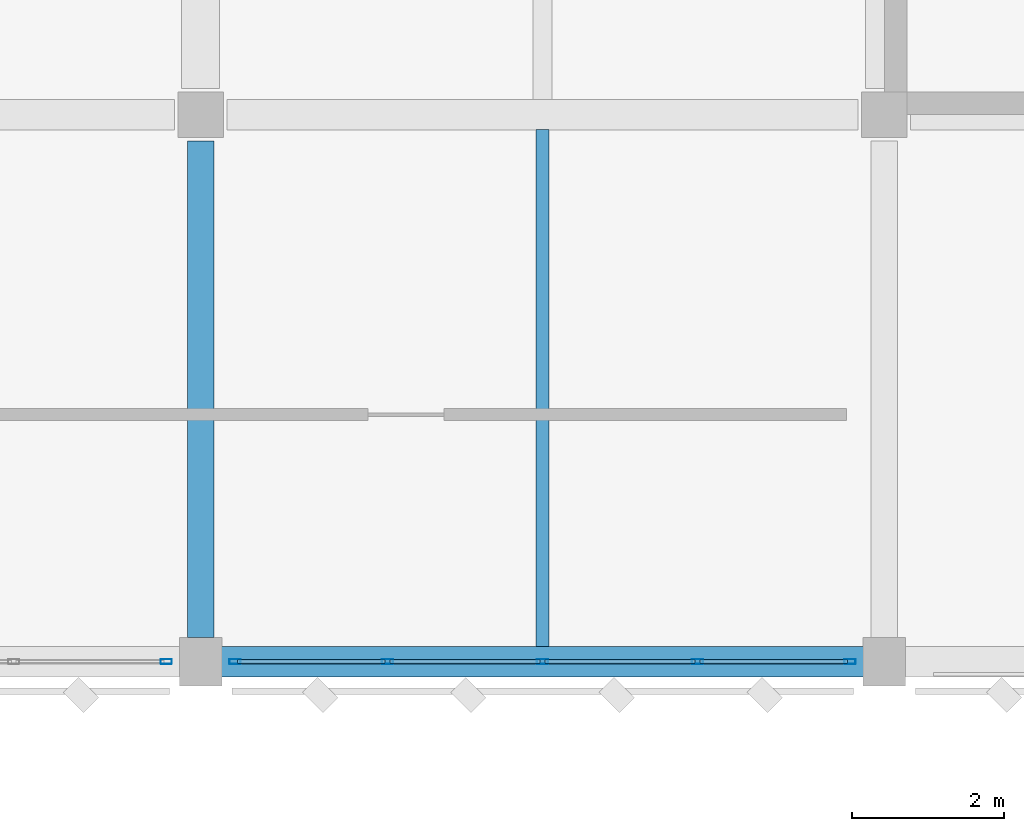
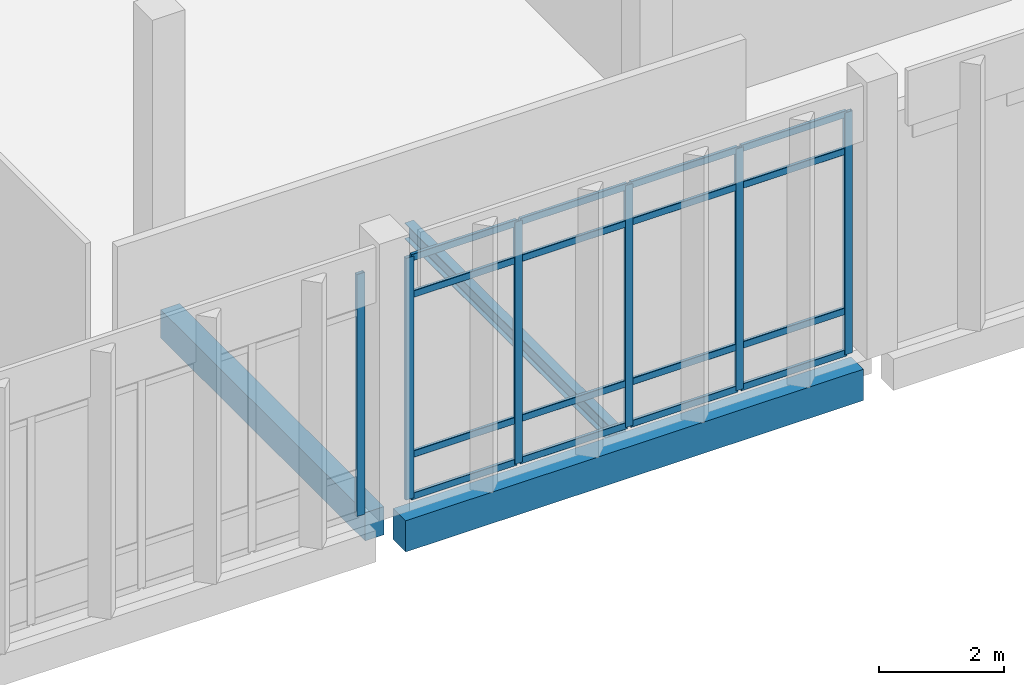
# One storey, part 88 of 180: 22 members, 3 beams, 2 elements without a shape of their own.
"""IFC4 building model written with IfcOpenShell, lengths in metres."""

from ifc_helpers import new_model, si_unit, direction, frame, origin, origin_2d, place, context, subcontext, project, spatial, rectangle, hollow_rectangle, i_section, extrude, material, material_profile, profile_set, type_object, element, aggregate, save


model = new_model("IFC4")

# Units and contexts
model_context = context("Model", 3, precision=1e-05, world=origin(), true_north=direction((0.0, 1.0)))
body_context = subcontext(model_context, "Body", "Model", "MODEL_VIEW")
ifc_project = project(units=[si_unit("LENGTHUNIT", "METRE"), si_unit("AREAUNIT", "SQUARE_METRE"), si_unit("VOLUMEUNIT", "CUBIC_METRE"), si_unit("PLANEANGLEUNIT", "RADIAN"), si_unit("MASSUNIT", "GRAM", prefix="KILO")], contexts=[model_context])

# Site, building, storey
site_placement = place(None, origin())
site = spatial("IfcSite", under=ifc_project, at=site_placement, CompositionType="ELEMENT")
building_placement = place(site_placement, origin())
building = spatial("IfcBuilding", under=site, at=building_placement, Name="Lusvemor Sports Hall", CompositionType="ELEMENT")
storey_placement = place(building_placement, frame((0.0, 0.0, 5.39990234375)))
storey = spatial("IfcBuildingStorey", under=building, at=storey_placement, Name="L01", CompositionType="ELEMENT", Elevation=5.39990234375)

# Beam
ifc_material_1 = material(Name="Concrete C40/50", Category="concrete")
ifc_material_profile_1 = material_profile(ifc_material_1, rectangle(XDim=0.35009765625, YDim=0.550048828125, at=origin_2d()), Name="RC350x550")
ifc_profile_set_1 = profile_set([ifc_material_profile_1], Name="Concrete C40/50")
beam_type_1 = type_object("IfcBeamType", Name="BEAM_RC_550", PredefinedType="BEAM", material=ifc_profile_set_1)
beam_1_placement = place(storey_placement, frame((93.60009765625, 97.51611328125, -0.534912109375), z_axis=(0.0, 1.0, 0.0), x_axis=(-1.0, 0.0, 0.0)))
element("IfcBeam", 1, at=beam_1_placement, inside=storey, type_object=beam_type_1, Name="Beam L01 10:N-P", PredefinedType="BEAM", context=body_context, shape_type="SweptSolid", body=[
    extrude(rectangle(XDim=0.35009765625, YDim=0.550048828125, at=origin_2d()), origin(), (0.0, 0.0, 1.0), 6.537841796875),
])

# Curtain wall, member
ifc_material_2 = material(Name="Thermally broken bronze-anodized aluminium", Category="aluminium")
curtain_wall_type = type_object("IfcCurtainWallType", Name="CW_WING_B", PredefinedType="NOTDEFINED", material=ifc_material_2)
curtain_wall_1_placement = place(storey_placement, origin())
curtain_wall_1 = element("IfcCurtainWall", 2, at=curtain_wall_1_placement, inside=storey, type_object=curtain_wall_type, Name="Curtain Wall CW-L01-S-3-6", PredefinedType="NOTDEFINED")
ifc_material_3 = material(Name="Thermally broken bronze-anodized aluminium", Category="aluminium")
ifc_material_profile_2 = material_profile(ifc_material_3, hollow_rectangle(XDim=0.06494140625, YDim=0.14990234375, WallThickness=0.00390625, InnerFilletRadius=0.00390625, OuterFilletRadius=0.008056640625, at=origin_2d()), Name="CWMUL150x65x4")
ifc_profile_set_2 = profile_set([ifc_material_profile_2], Name="Thermally broken bronze-anodized aluminium")
member_type_1 = type_object("IfcMemberType", Name="CW_MUL_B", PredefinedType="MULLION", material=ifc_profile_set_2)
member_1_placement = place(storey_placement, frame((93.1474609375, 97.199951171875, 0.0), z_axis=(0.0, 0.0, 1.0), x_axis=(0.0, -1.0, 0.0)))
member_1 = element("IfcMember", 3, at=member_1_placement, type_object=member_type_1, Name="CW02 mullion 1", PredefinedType="MULLION", context=body_context, shape_type="SweptSolid", body=[
    extrude(hollow_rectangle(XDim=0.06494140625, YDim=0.14990234375, WallThickness=0.00390625, InnerFilletRadius=0.00390625, OuterFilletRadius=0.008056640625, at=origin_2d()), origin(), (0.0, 0.0, 1.0), 4.72021484375),
])
aggregate(curtain_wall_1, [member_1])

# Curtain wall, members
curtain_wall_2_placement = place(storey_placement, origin())
curtain_wall_2 = element("IfcCurtainWall", 4, at=curtain_wall_2_placement, inside=storey, type_object=curtain_wall_type, Name="Curtain Wall CW-L01-S-3-7", PredefinedType="NOTDEFINED")
member_2_placement = place(storey_placement, frame((102.1474609375, 97.199951171875, 0.0), z_axis=(0.0, 0.0, 1.0), x_axis=(0.0, -1.0, 0.0)))
member_2 = element("IfcMember", 5, at=member_2_placement, type_object=member_type_1, Name="CW02 mullion 1", PredefinedType="MULLION", context=body_context, shape_type="SweptSolid", body=[
    extrude(hollow_rectangle(XDim=0.06494140625, YDim=0.14990234375, WallThickness=0.00390625, InnerFilletRadius=0.00390625, OuterFilletRadius=0.008056640625, at=origin_2d()), origin(), (0.0, 0.0, 1.0), 4.72021484375),
])
member_3_placement = place(storey_placement, frame((100.139892578125, 97.199951171875, 0.0), z_axis=(0.0, 0.0, 1.0), x_axis=(0.0, -1.0, 0.0)))
member_3 = element("IfcMember", 6, at=member_3_placement, type_object=member_type_1, Name="CW02 mullion 2", PredefinedType="MULLION", context=body_context, shape_type="SweptSolid", body=[
    extrude(hollow_rectangle(XDim=0.06494140625, YDim=0.14990234375, WallThickness=0.00390625, InnerFilletRadius=0.00390625, OuterFilletRadius=0.008056640625, at=origin_2d()), origin(), (0.0, 0.0, 1.0), 4.72021484375),
])
member_4_placement = place(storey_placement, frame((98.10009765625, 97.199951171875, 0.0), z_axis=(0.0, 0.0, 1.0), x_axis=(0.0, -1.0, 0.0)))
member_4 = element("IfcMember", 7, at=member_4_placement, type_object=member_type_1, Name="CW02 mullion 3", PredefinedType="MULLION", context=body_context, shape_type="SweptSolid", body=[
    extrude(hollow_rectangle(XDim=0.06494140625, YDim=0.14990234375, WallThickness=0.00390625, InnerFilletRadius=0.00390625, OuterFilletRadius=0.008056640625, at=origin_2d()), origin(), (0.0, 0.0, 1.0), 4.72021484375),
])
member_5_placement = place(storey_placement, frame((96.06005859375, 97.199951171875, 0.0), z_axis=(0.0, 0.0, 1.0), x_axis=(0.0, -1.0, 0.0)))
member_5 = element("IfcMember", 8, at=member_5_placement, type_object=member_type_1, Name="CW02 mullion 4", PredefinedType="MULLION", context=body_context, shape_type="SweptSolid", body=[
    extrude(hollow_rectangle(XDim=0.06494140625, YDim=0.14990234375, WallThickness=0.00390625, InnerFilletRadius=0.00390625, OuterFilletRadius=0.008056640625, at=origin_2d()), origin(), (0.0, 0.0, 1.0), 4.72021484375),
])
member_6_placement = place(storey_placement, frame((94.052490234375, 97.199951171875, 0.0), z_axis=(0.0, 0.0, 1.0), x_axis=(0.0, -1.0, 0.0)))
member_6 = element("IfcMember", 9, at=member_6_placement, type_object=member_type_1, Name="CW02 mullion 5", PredefinedType="MULLION", context=body_context, shape_type="SweptSolid", body=[
    extrude(hollow_rectangle(XDim=0.06494140625, YDim=0.14990234375, WallThickness=0.00390625, InnerFilletRadius=0.00390625, OuterFilletRadius=0.008056640625, at=origin_2d()), origin(), (0.0, 0.0, 1.0), 4.72021484375),
])
ifc_material_4 = material(Name="Thermally broken bronze-anodized aluminium", Category="aluminium")
ifc_material_profile_3 = material_profile(ifc_material_4, hollow_rectangle(XDim=0.06005859375, YDim=0.135009765625, WallThickness=0.00390625, InnerFilletRadius=0.00390625, OuterFilletRadius=0.008056640625, at=origin_2d()), Name="CWTRN135x60x4")
ifc_profile_set_3 = profile_set([ifc_material_profile_3], Name="Thermally broken bronze-anodized aluminium")
member_type_2 = type_object("IfcMemberType", Name="CW_TRN_B", PredefinedType="USERDEFINED", material=ifc_profile_set_3)
member_7_placement = place(storey_placement, frame((102.114990234375, 97.199951171875, 0.030029296875), z_axis=(-1.0, 0.0, 0.0), x_axis=(0.0, -1.0, 0.0)))
member_7 = element("IfcMember", 10, at=member_7_placement, type_object=member_type_2, Name="CW02 transom 1.1", ObjectType="TRANSOM", PredefinedType="USERDEFINED", context=body_context, shape_type="SweptSolid", body=[
    extrude(hollow_rectangle(XDim=0.06005859375, YDim=0.135009765625, WallThickness=0.00390625, InnerFilletRadius=0.00390625, OuterFilletRadius=0.008056640625, at=origin_2d()), origin(), (0.0, 0.0, 1.0), 1.9423828125),
])
member_8_placement = place(storey_placement, frame((102.114990234375, 97.199951171875, 0.85009765625), z_axis=(-1.0, 0.0, 0.0), x_axis=(0.0, -1.0, 0.0)))
member_8 = element("IfcMember", 11, at=member_8_placement, type_object=member_type_2, Name="CW02 transom 1.2", ObjectType="TRANSOM", PredefinedType="USERDEFINED", context=body_context, shape_type="SweptSolid", body=[
    extrude(hollow_rectangle(XDim=0.06005859375, YDim=0.135009765625, WallThickness=0.00390625, InnerFilletRadius=0.00390625, OuterFilletRadius=0.008056640625, at=origin_2d()), origin(), (0.0, 0.0, 1.0), 1.9423828125),
])
member_9_placement = place(storey_placement, frame((102.114990234375, 97.199951171875, 3.97021484375), z_axis=(-1.0, 0.0, 0.0), x_axis=(0.0, -1.0, 0.0)))
member_9 = element("IfcMember", 12, at=member_9_placement, type_object=member_type_2, Name="CW02 transom 1.3", ObjectType="TRANSOM", PredefinedType="USERDEFINED", context=body_context, shape_type="SweptSolid", body=[
    extrude(hollow_rectangle(XDim=0.06005859375, YDim=0.135009765625, WallThickness=0.00390625, InnerFilletRadius=0.00390625, OuterFilletRadius=0.008056640625, at=origin_2d()), origin(), (0.0, 0.0, 1.0), 1.9423828125),
])
member_10_placement = place(storey_placement, frame((102.114990234375, 97.199951171875, 4.690185546875), z_axis=(-1.0, 0.0, 0.0), x_axis=(0.0, -1.0, 0.0)))
member_10 = element("IfcMember", 13, at=member_10_placement, type_object=member_type_2, Name="CW02 transom 1.4", ObjectType="TRANSOM", PredefinedType="USERDEFINED", context=body_context, shape_type="SweptSolid", body=[
    extrude(hollow_rectangle(XDim=0.06005859375, YDim=0.135009765625, WallThickness=0.00390625, InnerFilletRadius=0.00390625, OuterFilletRadius=0.008056640625, at=origin_2d()), origin(), (0.0, 0.0, 1.0), 1.9423828125),
])
member_11_placement = place(storey_placement, frame((100.107421875, 97.199951171875, 0.030029296875), z_axis=(-1.0, 0.0, 0.0), x_axis=(0.0, -1.0, 0.0)))
member_11 = element("IfcMember", 14, at=member_11_placement, type_object=member_type_2, Name="CW02 transom 2.1", ObjectType="TRANSOM", PredefinedType="USERDEFINED", context=body_context, shape_type="SweptSolid", body=[
    extrude(hollow_rectangle(XDim=0.06005859375, YDim=0.135009765625, WallThickness=0.00390625, InnerFilletRadius=0.00390625, OuterFilletRadius=0.008056640625, at=origin_2d()), origin(), (0.0, 0.0, 1.0), 1.974853515625),
])
member_12_placement = place(storey_placement, frame((100.107421875, 97.199951171875, 0.85009765625), z_axis=(-1.0, 0.0, 0.0), x_axis=(0.0, -1.0, 0.0)))
member_12 = element("IfcMember", 15, at=member_12_placement, type_object=member_type_2, Name="CW02 transom 2.2", ObjectType="TRANSOM", PredefinedType="USERDEFINED", context=body_context, shape_type="SweptSolid", body=[
    extrude(hollow_rectangle(XDim=0.06005859375, YDim=0.135009765625, WallThickness=0.00390625, InnerFilletRadius=0.00390625, OuterFilletRadius=0.008056640625, at=origin_2d()), origin(), (0.0, 0.0, 1.0), 1.974853515625),
])
member_13_placement = place(storey_placement, frame((100.107421875, 97.199951171875, 3.97021484375), z_axis=(-1.0, 0.0, 0.0), x_axis=(0.0, -1.0, 0.0)))
member_13 = element("IfcMember", 16, at=member_13_placement, type_object=member_type_2, Name="CW02 transom 2.3", ObjectType="TRANSOM", PredefinedType="USERDEFINED", context=body_context, shape_type="SweptSolid", body=[
    extrude(hollow_rectangle(XDim=0.06005859375, YDim=0.135009765625, WallThickness=0.00390625, InnerFilletRadius=0.00390625, OuterFilletRadius=0.008056640625, at=origin_2d()), origin(), (0.0, 0.0, 1.0), 1.974853515625),
])
member_14_placement = place(storey_placement, frame((100.107421875, 97.199951171875, 4.690185546875), z_axis=(-1.0, 0.0, 0.0), x_axis=(0.0, -1.0, 0.0)))
member_14 = element("IfcMember", 17, at=member_14_placement, type_object=member_type_2, Name="CW02 transom 2.4", ObjectType="TRANSOM", PredefinedType="USERDEFINED", context=body_context, shape_type="SweptSolid", body=[
    extrude(hollow_rectangle(XDim=0.06005859375, YDim=0.135009765625, WallThickness=0.00390625, InnerFilletRadius=0.00390625, OuterFilletRadius=0.008056640625, at=origin_2d()), origin(), (0.0, 0.0, 1.0), 1.974853515625),
])
member_15_placement = place(storey_placement, frame((98.0673828125, 97.199951171875, 0.030029296875), z_axis=(-1.0, 0.0, 0.0), x_axis=(0.0, -1.0, 0.0)))
member_15 = element("IfcMember", 18, at=member_15_placement, type_object=member_type_2, Name="CW02 transom 3.1", ObjectType="TRANSOM", PredefinedType="USERDEFINED", context=body_context, shape_type="SweptSolid", body=[
    extrude(hollow_rectangle(XDim=0.06005859375, YDim=0.135009765625, WallThickness=0.00390625, InnerFilletRadius=0.00390625, OuterFilletRadius=0.008056640625, at=origin_2d()), origin(), (0.0, 0.0, 1.0), 1.974853515625),
])
member_16_placement = place(storey_placement, frame((98.0673828125, 97.199951171875, 0.85009765625), z_axis=(-1.0, 0.0, 0.0), x_axis=(0.0, -1.0, 0.0)))
member_16 = element("IfcMember", 19, at=member_16_placement, type_object=member_type_2, Name="CW02 transom 3.2", ObjectType="TRANSOM", PredefinedType="USERDEFINED", context=body_context, shape_type="SweptSolid", body=[
    extrude(hollow_rectangle(XDim=0.06005859375, YDim=0.135009765625, WallThickness=0.00390625, InnerFilletRadius=0.00390625, OuterFilletRadius=0.008056640625, at=origin_2d()), origin(), (0.0, 0.0, 1.0), 1.974853515625),
])
member_17_placement = place(storey_placement, frame((98.0673828125, 97.199951171875, 3.97021484375), z_axis=(-1.0, 0.0, 0.0), x_axis=(0.0, -1.0, 0.0)))
member_17 = element("IfcMember", 20, at=member_17_placement, type_object=member_type_2, Name="CW02 transom 3.3", ObjectType="TRANSOM", PredefinedType="USERDEFINED", context=body_context, shape_type="SweptSolid", body=[
    extrude(hollow_rectangle(XDim=0.06005859375, YDim=0.135009765625, WallThickness=0.00390625, InnerFilletRadius=0.00390625, OuterFilletRadius=0.008056640625, at=origin_2d()), origin(), (0.0, 0.0, 1.0), 1.974853515625),
])
member_18_placement = place(storey_placement, frame((98.0673828125, 97.199951171875, 4.690185546875), z_axis=(-1.0, 0.0, 0.0), x_axis=(0.0, -1.0, 0.0)))
member_18 = element("IfcMember", 21, at=member_18_placement, type_object=member_type_2, Name="CW02 transom 3.4", ObjectType="TRANSOM", PredefinedType="USERDEFINED", context=body_context, shape_type="SweptSolid", body=[
    extrude(hollow_rectangle(XDim=0.06005859375, YDim=0.135009765625, WallThickness=0.00390625, InnerFilletRadius=0.00390625, OuterFilletRadius=0.008056640625, at=origin_2d()), origin(), (0.0, 0.0, 1.0), 1.974853515625),
])
member_19_placement = place(storey_placement, frame((96.027587890625, 97.199951171875, 0.030029296875), z_axis=(-1.0, 0.0, 0.0), x_axis=(0.0, -1.0, 0.0)))
member_19 = element("IfcMember", 22, at=member_19_placement, type_object=member_type_2, Name="CW02 transom 4.1", ObjectType="TRANSOM", PredefinedType="USERDEFINED", context=body_context, shape_type="SweptSolid", body=[
    extrude(hollow_rectangle(XDim=0.06005859375, YDim=0.135009765625, WallThickness=0.00390625, InnerFilletRadius=0.00390625, OuterFilletRadius=0.008056640625, at=origin_2d()), origin(), (0.0, 0.0, 1.0), 1.942626953125),
])
member_20_placement = place(storey_placement, frame((96.027587890625, 97.199951171875, 0.85009765625), z_axis=(-1.0, 0.0, 0.0), x_axis=(0.0, -1.0, 0.0)))
member_20 = element("IfcMember", 23, at=member_20_placement, type_object=member_type_2, Name="CW02 transom 4.2", ObjectType="TRANSOM", PredefinedType="USERDEFINED", context=body_context, shape_type="SweptSolid", body=[
    extrude(hollow_rectangle(XDim=0.06005859375, YDim=0.135009765625, WallThickness=0.00390625, InnerFilletRadius=0.00390625, OuterFilletRadius=0.008056640625, at=origin_2d()), origin(), (0.0, 0.0, 1.0), 1.942626953125),
])
member_21_placement = place(storey_placement, frame((96.027587890625, 97.199951171875, 3.97021484375), z_axis=(-1.0, 0.0, 0.0), x_axis=(0.0, -1.0, 0.0)))
member_21 = element("IfcMember", 24, at=member_21_placement, type_object=member_type_2, Name="CW02 transom 4.3", ObjectType="TRANSOM", PredefinedType="USERDEFINED", context=body_context, shape_type="SweptSolid", body=[
    extrude(hollow_rectangle(XDim=0.06005859375, YDim=0.135009765625, WallThickness=0.00390625, InnerFilletRadius=0.00390625, OuterFilletRadius=0.008056640625, at=origin_2d()), origin(), (0.0, 0.0, 1.0), 1.942626953125),
])
member_22_placement = place(storey_placement, frame((96.027587890625, 97.199951171875, 4.690185546875), z_axis=(-1.0, 0.0, 0.0), x_axis=(0.0, -1.0, 0.0)))
member_22 = element("IfcMember", 25, at=member_22_placement, type_object=member_type_2, Name="CW02 transom 4.4", ObjectType="TRANSOM", PredefinedType="USERDEFINED", context=body_context, shape_type="SweptSolid", body=[
    extrude(hollow_rectangle(XDim=0.06005859375, YDim=0.135009765625, WallThickness=0.00390625, InnerFilletRadius=0.00390625, OuterFilletRadius=0.008056640625, at=origin_2d()), origin(), (0.0, 0.0, 1.0), 1.942626953125),
])
aggregate(curtain_wall_2, [member_2, member_3, member_4, member_5, member_6, member_7, member_8, member_9, member_10, member_11, member_12, member_13, member_14, member_15, member_16, member_17, member_18, member_19, member_20, member_21, member_22])

# Beams
ifc_material_5 = material(Name="Steel S355", Category="steel")
ifc_material_profile_4 = material_profile(ifc_material_5, i_section(OverallWidth=0.1669921875, OverallDepth=0.31689453125, WebThickness=0.007568359375, FlangeThickness=0.01318359375, FilletRadius=0.014892578125, at=origin_2d()), Name="W310x52.0")
ifc_profile_set_4 = profile_set([ifc_material_profile_4], Name="Steel S355")
beam_type_2 = type_object("IfcBeamType", Name="JOIST_ST_310M", PredefinedType="JOIST", material=ifc_profile_set_4)
beam_2_placement = place(storey_placement, frame((98.10009765625, 97.39599609375, -0.42236328125), z_axis=(0.0, 1.0, 0.0), x_axis=(-1.0, 0.0, 0.0)))
element("IfcBeam", 26, at=beam_2_placement, inside=storey, type_object=beam_type_2, Name="Secondary Joist L01 10-11/N-P #1", PredefinedType="JOIST", context=body_context, shape_type="SweptSolid", body=[
    extrude(i_section(OverallWidth=0.1669921875, OverallDepth=0.31689453125, WebThickness=0.007568359375, FlangeThickness=0.01318359375, FilletRadius=0.014892578125, at=origin_2d()), origin(), (0.0, 0.0, 1.0), 6.80810546875),
])
ifc_material_6 = material(Name="Concrete C40/50", Category="concrete")
ifc_material_profile_5 = material_profile(ifc_material_6, rectangle(XDim=0.39990234375, YDim=0.610107421875, at=origin_2d()), Name="RC400x610")
ifc_profile_set_5 = profile_set([ifc_material_profile_5], Name="Concrete C40/50")
beam_type_3 = type_object("IfcBeamType", Name="SPAND_EXT_650", PredefinedType="SPANDREL", material=ifc_profile_set_5)
beam_3_placement = place(storey_placement, frame((93.8759765625, 97.199951171875, -0.56494140625), z_axis=(1.0, 0.0, 0.0), x_axis=(0.0, 1.0, 0.0)))
element("IfcBeam", 27, at=beam_3_placement, inside=storey, type_object=beam_type_3, Name="Beam L01 N:10-11", PredefinedType="SPANDREL", context=body_context, shape_type="SweptSolid", body=[
    extrude(rectangle(XDim=0.39990234375, YDim=0.610107421875, at=origin_2d()), origin(), (0.0, 0.0, 1.0), 8.447998046875),
])

save(model, "model.ifc")
